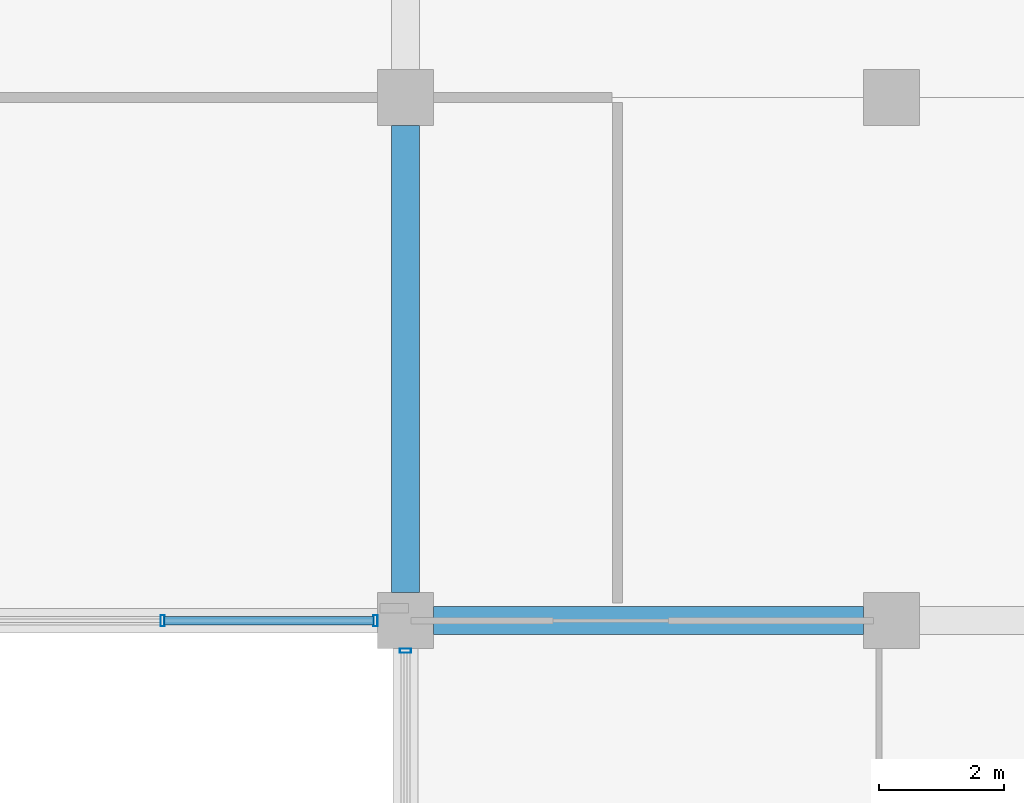
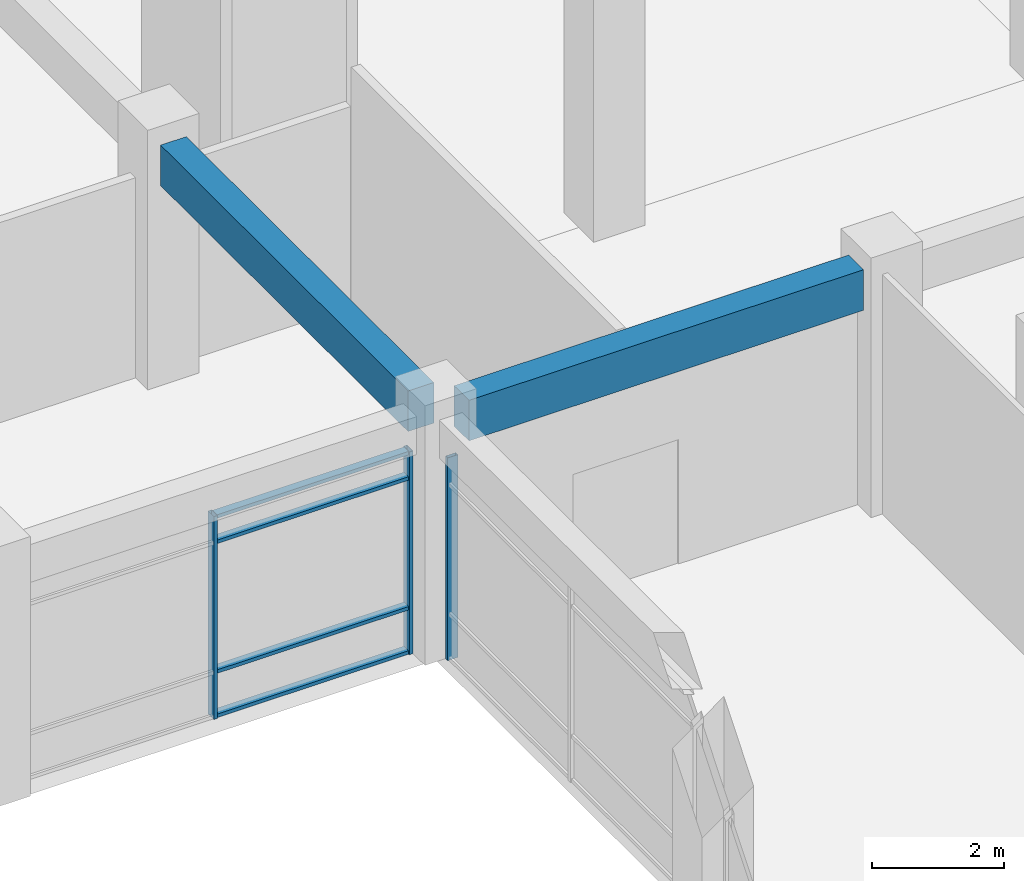
# One storey, part 40 of 79: 7 members, 2 beams, 2 elements without a shape of their own.
"""IFC4 building model written with IfcOpenShell, lengths in metres."""

from ifc_helpers import new_model, si_unit, direction, frame, origin, origin_2d, place, context, subcontext, project, spatial, rectangle, hollow_rectangle, extrude, material, material_profile, profile_set, type_object, element, aggregate, save


model = new_model("IFC4")

# Units and contexts
model_context = context("Model", 3, precision=1e-05, world=origin(), true_north=direction((0.0, 1.0)))
body_context = subcontext(model_context, "Body", "Model", "MODEL_VIEW")
ifc_project = project(units=[si_unit("LENGTHUNIT", "METRE"), si_unit("AREAUNIT", "SQUARE_METRE"), si_unit("VOLUMEUNIT", "CUBIC_METRE"), si_unit("PLANEANGLEUNIT", "RADIAN"), si_unit("MASSUNIT", "GRAM", prefix="KILO"), si_unit("THERMODYNAMICTEMPERATUREUNIT", "KELVIN"), si_unit("POWERUNIT", "WATT")], contexts=[model_context])

# Site, building, storey
site_placement = place(None, origin())
site = spatial("IfcSite", under=ifc_project, at=site_placement, CompositionType="ELEMENT")
building_placement = place(site_placement, origin())
building = spatial("IfcBuilding", under=site, at=building_placement, Name="Srebrne Nadtorze General Hospital", CompositionType="ELEMENT")
storey_placement = place(building_placement, frame((0.0, 0.0, 4.800048828125)))
storey = spatial("IfcBuildingStorey", under=building, at=storey_placement, Name="L01", CompositionType="ELEMENT", Elevation=4.800048828125)

# Curtain wall, members
ifc_material_1 = material(Name="Anodised Aluminium", Category="aluminium")
curtain_wall_type_1 = type_object("IfcCurtainWallType", Name="Unitised curtain wall 6900x3750", PredefinedType="NOTDEFINED", material=ifc_material_1)
curtain_wall_1_placement = place(storey_placement, origin())
curtain_wall_1 = element("IfcCurtainWall", 1, at=curtain_wall_1_placement, inside=storey, type_object=curtain_wall_type_1, Name="Curtain wall CW-049", PredefinedType="NOTDEFINED")
ifc_material_2 = material(Name="Anodised Aluminium", Category="aluminium")
ifc_material_profile_1 = material_profile(ifc_material_2, hollow_rectangle(XDim=0.06494140625, YDim=0.179931640625, WallThickness=0.00390625, at=origin_2d()), Name="AL-MUL-65x180")
ifc_profile_set_1 = profile_set([ifc_material_profile_1], Name="Anodised Aluminium")
member_type_1 = type_object("IfcMemberType", Name="Curtain mullion 65x180", PredefinedType="MULLION", material=ifc_profile_set_1)
member_1_placement = place(storey_placement, frame((128.699951171875, 25.199951171875, 0.0), z_axis=(0.0, 0.0, 1.0), x_axis=(1.0, 0.0, 0.0)))
member_1 = element("IfcMember", 2, at=member_1_placement, type_object=member_type_1, Name="CW-049 mullion 2", PredefinedType="MULLION", context=body_context, shape_type="SweptSolid", body=[
    extrude(hollow_rectangle(XDim=0.06494140625, YDim=0.179931640625, WallThickness=0.00390625, at=origin_2d()), origin(), (0.0, 0.0, 1.0), 3.75),
])
member_2_placement = place(storey_placement, frame((132.117431640625, 25.199951171875, 0.0), z_axis=(0.0, 0.0, 1.0), x_axis=(1.0, 0.0, 0.0)))
member_2 = element("IfcMember", 3, at=member_2_placement, type_object=member_type_1, Name="CW-049 mullion 3", PredefinedType="MULLION", context=body_context, shape_type="SweptSolid", body=[
    extrude(hollow_rectangle(XDim=0.06494140625, YDim=0.179931640625, WallThickness=0.00390625, at=origin_2d()), origin(), (0.0, 0.0, 1.0), 3.75),
])

# Curtain wall, member
ifc_material_3 = material(Name="Anodised Aluminium", Category="aluminium")
curtain_wall_type_2 = type_object("IfcCurtainWallType", Name="Unitised curtain wall 7500x3750", PredefinedType="NOTDEFINED", material=ifc_material_3)
curtain_wall_2_placement = place(storey_placement, origin())
curtain_wall_2 = element("IfcCurtainWall", 4, at=curtain_wall_2_placement, inside=storey, type_object=curtain_wall_type_2, Name="Curtain wall CW-065", PredefinedType="NOTDEFINED")
member_3_placement = place(storey_placement, frame((132.60009765625, 24.717529296875, 0.0), z_axis=(0.0, 0.0, 1.0), x_axis=(0.0, 1.0, 0.0)))
member_3 = element("IfcMember", 5, at=member_3_placement, type_object=member_type_1, Name="CW-065 mullion 3", PredefinedType="MULLION", context=body_context, shape_type="SweptSolid", body=[
    extrude(hollow_rectangle(XDim=0.06494140625, YDim=0.179931640625, WallThickness=0.00390625, at=origin_2d()), origin(), (0.0, 0.0, 1.0), 3.75),
])
aggregate(curtain_wall_2, [member_3])

# Member
ifc_material_4 = material(Name="Anodised Aluminium", Category="aluminium")
ifc_material_profile_2 = material_profile(ifc_material_4, hollow_rectangle(XDim=0.06494140625, YDim=0.139892578125, WallThickness=0.00390625, at=origin_2d()), Name="AL-TRN-65x140")
ifc_profile_set_2 = profile_set([ifc_material_profile_2], Name="Anodised Aluminium")
member_type_2 = type_object("IfcMemberType", Name="Curtain transom 65x140", PredefinedType="USERDEFINED", material=ifc_profile_set_2)
member_4_placement = place(storey_placement, frame((128.732421875, 25.199951171875, 0.032470703125), z_axis=(1.0, 0.0, 0.0), x_axis=(0.0, 0.0, 1.0)))
member_4 = element("IfcMember", 6, at=member_4_placement, type_object=member_type_2, Name="CW-049 transom 2.1", ObjectType="TRANSOM", PredefinedType="USERDEFINED", context=body_context, shape_type="SweptSolid", body=[
    extrude(hollow_rectangle(XDim=0.06494140625, YDim=0.139892578125, WallThickness=0.00390625, at=origin_2d()), origin(), (0.0, 0.0, 1.0), 3.3525390625),
])

member_5_placement = place(storey_placement, frame((128.732421875, 25.199951171875, 0.849853515625), z_axis=(1.0, 0.0, 0.0), x_axis=(0.0, 0.0, 1.0)))
member_5 = element("IfcMember", 7, at=member_5_placement, type_object=member_type_2, Name="CW-049 transom 2.2", ObjectType="TRANSOM", PredefinedType="USERDEFINED", context=body_context, shape_type="SweptSolid", body=[
    extrude(hollow_rectangle(XDim=0.06494140625, YDim=0.139892578125, WallThickness=0.00390625, at=origin_2d()), origin(), (0.0, 0.0, 1.0), 3.3525390625),
])

member_6_placement = place(storey_placement, frame((128.732421875, 25.199951171875, 3.25), z_axis=(1.0, 0.0, 0.0), x_axis=(0.0, 0.0, 1.0)))
member_6 = element("IfcMember", 8, at=member_6_placement, type_object=member_type_2, Name="CW-049 transom 2.3", ObjectType="TRANSOM", PredefinedType="USERDEFINED", context=body_context, shape_type="SweptSolid", body=[
    extrude(hollow_rectangle(XDim=0.06494140625, YDim=0.139892578125, WallThickness=0.00390625, at=origin_2d()), origin(), (0.0, 0.0, 1.0), 3.3525390625),
])

member_7_placement = place(storey_placement, frame((128.732421875, 25.199951171875, 3.717529296875), z_axis=(1.0, 0.0, 0.0), x_axis=(0.0, 0.0, 1.0)))
member_7 = element("IfcMember", 9, at=member_7_placement, type_object=member_type_2, Name="CW-049 transom 2.4", ObjectType="TRANSOM", PredefinedType="USERDEFINED", context=body_context, shape_type="SweptSolid", body=[
    extrude(hollow_rectangle(XDim=0.06494140625, YDim=0.139892578125, WallThickness=0.00390625, at=origin_2d()), origin(), (0.0, 0.0, 1.0), 3.3525390625),
])

aggregate(curtain_wall_1, [member_1, member_2, member_4, member_5, member_6, member_7])

# Beams
ifc_material_5 = material(Name="Concrete C40/50", Category="concrete")
ifc_material_profile_3 = material_profile(ifc_material_5, rectangle(XDim=0.449951171875, YDim=0.75, at=origin_2d()), Name="RC-BM-450x750")
ifc_profile_set_3 = profile_set([ifc_material_profile_3], Name="Concrete C40/50")
beam_type = type_object("IfcBeamType", Name="Primary beam RC 450x750", PredefinedType="BEAM", material=ifc_profile_set_3)
beam_1_placement = place(storey_placement, frame((133.050048828125, 25.199951171875, 4.074951171875), z_axis=(1.0, 0.0, 0.0), x_axis=(0.0, 1.0, 0.0)))
element("IfcBeam", 10, at=beam_1_placement, inside=storey, type_object=beam_type, Name="Beam BM-L01-X-0398", PredefinedType="BEAM", context=body_context, shape_type="SweptSolid", body=[
    extrude(rectangle(XDim=0.449951171875, YDim=0.75, at=origin_2d()), origin(), (0.0, 0.0, 1.0), 6.89990234375),
])
beam_2_placement = place(storey_placement, frame((132.60009765625, 25.64990234375, 4.074951171875), z_axis=(0.0, 1.0, 0.0), x_axis=(-1.0, 0.0, 0.0)))
element("IfcBeam", 11, at=beam_2_placement, inside=storey, type_object=beam_type, Name="Beam BM-L01-Y-0530", PredefinedType="BEAM", context=body_context, shape_type="SweptSolid", body=[
    extrude(rectangle(XDim=0.449951171875, YDim=0.75, at=origin_2d()), origin(), (0.0, 0.0, 1.0), 7.5),
])

save(model, "model.ifc")
